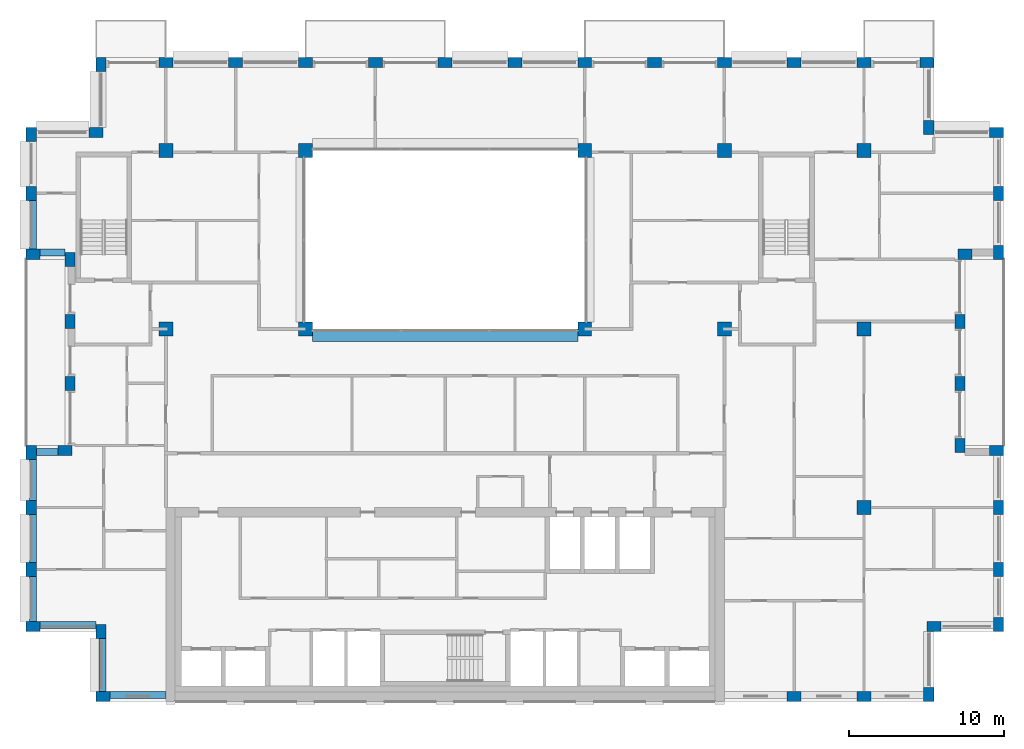
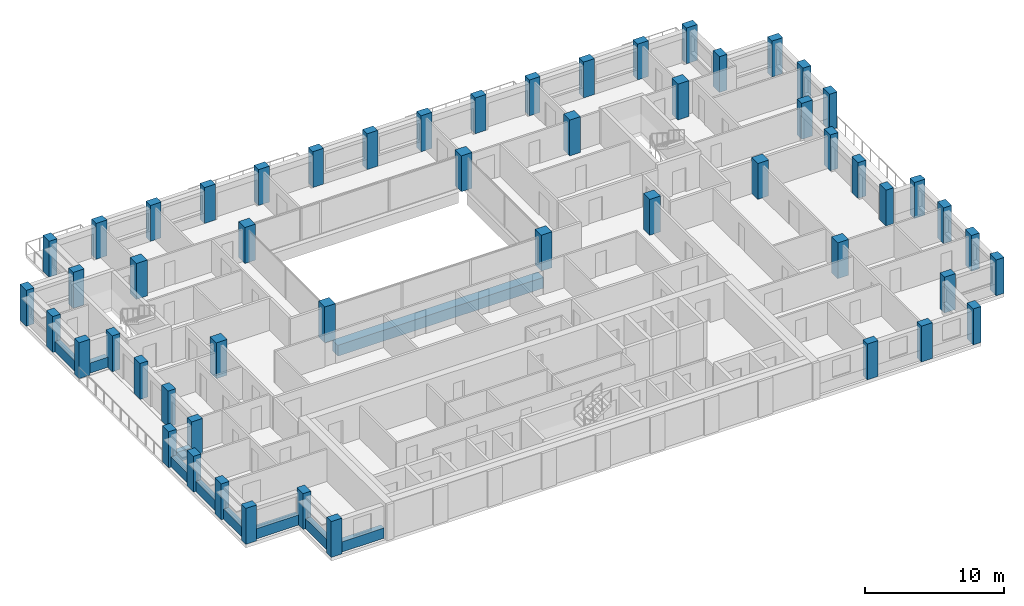
# One storey, part 1 of 15: 54 columns, 10 beams.
"""IFC4 building model written with IfcOpenShell, lengths in metres."""

from ifc_helpers import new_model, si_unit, direction, frame, origin, origin_2d, place, context, subcontext, project, spatial, rectangle, extrude, material, material_profile, profile_set, type_object, element, save


model = new_model("IFC4")

# Units and contexts
model_context = context("Model", 3, precision=1e-05, world=origin(), true_north=direction((0.0, 1.0)))
body_context = subcontext(model_context, "Body", "Model", "MODEL_VIEW")
ifc_project = project(units=[si_unit("LENGTHUNIT", "METRE"), si_unit("AREAUNIT", "SQUARE_METRE"), si_unit("VOLUMEUNIT", "CUBIC_METRE"), si_unit("PLANEANGLEUNIT", "RADIAN"), si_unit("MASSUNIT", "GRAM", prefix="KILO")], contexts=[model_context])

# Site, building, storey
site_placement = place(None, origin())
site = spatial("IfcSite", under=ifc_project, at=site_placement, CompositionType="ELEMENT")
building_placement = place(site_placement, origin())
building = spatial("IfcBuilding", under=site, at=building_placement, Name="Brigalow Station Residences", CompositionType="ELEMENT")
storey_placement = place(building_placement, frame((0.0, 0.0, 223.199951171875)))
storey = spatial("IfcBuildingStorey", under=building, at=storey_placement, Name="L64", CompositionType="ELEMENT", Elevation=223.199951171875)

# Columns
ifc_material_1 = material(Name="Concrete C50", Category="concrete")
ifc_material_profile_1 = material_profile(ifc_material_1, rectangle(XDim=0.89990234375, YDim=0.89990234375, at=origin_2d()), Name="RC900x900")
ifc_profile_set_1 = profile_set([ifc_material_profile_1], Name="Concrete C50")
column_type_1 = type_object("IfcColumnType", Name="COLUMN 900x900 C50", PredefinedType="COLUMN", material=ifc_profile_set_1)
for number, where, z_axis, x_axis, name in (
    (1, (18.0, 24.0, 0.0), (0.0, 0.0, 1.0), (1.0, 0.0, 0.0), "COLUMN C2 L64"),
    (2, (27.0, 24.0, 0.0), (0.0, 0.0, 1.0), (1.0, 0.0, 0.0), "COLUMN C3 L64"),
    (3, (45.0, 24.0, 0.0), (0.0, 0.0, 1.0), (1.0, 0.0, 0.0), "COLUMN C5 L64"),
    (4, (54.0, 24.0, 0.0), (0.0, 0.0, 1.0), (1.0, 0.0, 0.0), "COLUMN C6 L64"),
    (5, (63.0, 24.0, 0.0), (0.0, 0.0, 1.0), (1.0, 0.0, 0.0), "COLUMN C7 L64"),
    (6, (18.0, 35.5, 0.0), (0.0, 0.0, 1.0), (1.0, 0.0, 0.0), "COLUMN D2 L64"),
    (7, (27.0, 35.5, 0.0), (0.0, 0.0, 1.0), (1.0, 0.0, 0.0), "COLUMN D3 L64"),
    (8, (45.0, 35.5, 0.0), (0.0, 0.0, 1.0), (1.0, 0.0, 0.0), "COLUMN D5 L64"),
    (9, (54.0, 35.5, 0.0), (0.0, 0.0, 1.0), (1.0, 0.0, 0.0), "COLUMN D6 L64"),
    (10, (63.0, 35.5, 0.0), (0.0, 0.0, 1.0), (1.0, 0.0, 0.0), "COLUMN D7 L64"),
    (11, (63.0, 12.5, 0.0), (0.0, 0.0, 1.0), (1.0, 0.0, 0.0), "COLUMN B7 L64"),
):
    element("IfcColumn", number, at=place(storey_placement, frame(where, z_axis=z_axis, x_axis=x_axis)), inside=storey, type_object=column_type_1, Name=name, PredefinedType="COLUMN", context=body_context, shape_type="SweptSolid", body=[
        extrude(rectangle(XDim=0.89990234375, YDim=0.89990234375, at=origin_2d()), origin(), (0.0, 0.0, 1.0), 3.150146484375),
    ])
ifc_material_2 = material(Name="Concrete C50", Category="concrete")
ifc_material_profile_2 = material_profile(ifc_material_2, rectangle(XDim=0.89990234375, YDim=0.64990234375, at=origin_2d()), Name="RC900x650")
ifc_profile_set_2 = profile_set([ifc_material_profile_2], Name="Concrete C50")
column_type_2 = type_object("IfcColumnType", Name="PIER 900x650 C50", PredefinedType="USERDEFINED", material=ifc_profile_set_2)
for number, where, z_axis, x_axis, name in (
    (12, (13.949951171875, 0.324951171875, 0.0), (0.0, 0.0, 1.0), (1.0, 0.0, 0.0), "PIER S-1 L64"),
    (13, (58.5, 0.324951171875, 0.0), (0.0, 0.0, 1.0), (1.0, 0.0, 0.0), "PIER S-11 L64"),
    (14, (63.0, 0.324951171875, 0.0), (0.0, 0.0, 1.0), (1.0, 0.0, 0.0), "PIER S-12 L64"),
    (15, (67.175048828125, 0.449951171875, 0.0), (0.0, 0.0, 1.0), (0.0, 1.0, 0.0), "PIER SE1-1 L64"),
    (16, (67.5, 4.824951171875, 0.0), (0.0, 0.0, 1.0), (1.0, 0.0, 0.0), "PIER SE2-1 L64"),
    (17, (71.675048828125, 4.949951171875, 0.0), (0.0, 0.0, 1.0), (0.0, 1.0, 0.0), "PIER E1-1 L64"),
    (18, (71.675048828125, 8.5, 0.0), (0.0, 0.0, 1.0), (0.0, 1.0, 0.0), "PIER E1-2 L64"),
    (19, (71.675048828125, 12.5, 0.0), (0.0, 0.0, 1.0), (0.0, 1.0, 0.0), "PIER E1-3 L64"),
    (20, (71.550048828125, 16.175048828125, 0.0), (0.0, 0.0, 1.0), (-1.0, 0.0, 0.0), "PIER EL1-1 L64"),
    (21, (69.175048828125, 16.5, 0.0), (0.0, 0.0, 1.0), (0.0, 1.0, 0.0), "PIER EL2-1 L64"),
    (22, (69.175048828125, 20.5, 0.0), (0.0, 0.0, 1.0), (0.0, 1.0, 0.0), "PIER EL2-2 L64"),
    (23, (69.175048828125, 24.5, 0.0), (0.0, 0.0, 1.0), (0.0, 1.0, 0.0), "PIER EL2-3 L64"),
    (24, (69.5, 28.824951171875, 0.0), (0.0, 0.0, 1.0), (1.0, 0.0, 0.0), "PIER EL3-1 L64"),
    (25, (71.675048828125, 28.949951171875, 0.0), (0.0, 0.0, 1.0), (0.0, 1.0, 0.0), "PIER E2-1 L64"),
    (26, (71.675048828125, 32.75, 0.0), (0.0, 0.0, 1.0), (0.0, 1.0, 0.0), "PIER E2-2 L64"),
    (27, (71.550048828125, 36.675048828125, 0.0), (0.0, 0.0, 1.0), (-1.0, 0.0, 0.0), "PIER NE1-1 L64"),
    (28, (67.175048828125, 37.0, 0.0), (0.0, 0.0, 1.0), (0.0, 1.0, 0.0), "PIER NE2-1 L64"),
    (29, (67.050048828125, 41.175048828125, 0.0), (0.0, 0.0, 1.0), (-1.0, 0.0, 0.0), "PIER N-1 L64"),
    (30, (63.0, 41.175048828125, 0.0), (0.0, 0.0, 1.0), (-1.0, 0.0, 0.0), "PIER N-2 L64"),
    (31, (58.5, 41.175048828125, 0.0), (0.0, 0.0, 1.0), (-1.0, 0.0, 0.0), "PIER N-3 L64"),
    (32, (54.0, 41.175048828125, 0.0), (0.0, 0.0, 1.0), (-1.0, 0.0, 0.0), "PIER N-4 L64"),
    (33, (49.5, 41.175048828125, 0.0), (0.0, 0.0, 1.0), (-1.0, 0.0, 0.0), "PIER N-5 L64"),
    (34, (45.0, 41.175048828125, 0.0), (0.0, 0.0, 1.0), (-1.0, 0.0, 0.0), "PIER N-6 L64"),
    (35, (40.5, 41.175048828125, 0.0), (0.0, 0.0, 1.0), (-1.0, 0.0, 0.0), "PIER N-7 L64"),
    (36, (36.0, 41.175048828125, 0.0), (0.0, 0.0, 1.0), (-1.0, 0.0, 0.0), "PIER N-8 L64"),
    (37, (31.5, 41.175048828125, 0.0), (0.0, 0.0, 1.0), (-1.0, 0.0, 0.0), "PIER N-9 L64"),
    (38, (27.0, 41.175048828125, 0.0), (0.0, 0.0, 1.0), (-1.0, 0.0, 0.0), "PIER N-10 L64"),
    (39, (22.5, 41.175048828125, 0.0), (0.0, 0.0, 1.0), (-1.0, 0.0, 0.0), "PIER N-11 L64"),
    (40, (18.0, 41.175048828125, 0.0), (0.0, 0.0, 1.0), (-1.0, 0.0, 0.0), "PIER N-12 L64"),
    (41, (13.824951171875, 41.050048828125, 0.0), (0.0, 0.0, 1.0), (0.0, -1.0, 0.0), "PIER NW1-1 L64"),
    (42, (13.5, 36.675048828125, 0.0), (0.0, 0.0, 1.0), (-1.0, 0.0, 0.0), "PIER NW2-1 L64"),
    (43, (9.324951171875, 36.550048828125, 0.0), (0.0, 0.0, 1.0), (0.0, -1.0, 0.0), "PIER W2-1 L64"),
    (44, (9.324951171875, 32.75, 0.0), (0.0, 0.0, 1.0), (0.0, -1.0, 0.0), "PIER W2-2 L64"),
    (45, (9.449951171875, 28.824951171875, 0.0), (0.0, 0.0, 1.0), (1.0, 0.0, 0.0), "PIER WL1-1 L64"),
    (46, (11.824951171875, 28.5, 0.0), (0.0, 0.0, 1.0), (0.0, -1.0, 0.0), "PIER WL2-1 L64"),
    (47, (11.824951171875, 24.5, 0.0), (0.0, 0.0, 1.0), (0.0, -1.0, 0.0), "PIER WL2-2 L64"),
    (48, (11.824951171875, 20.5, 0.0), (0.0, 0.0, 1.0), (0.0, -1.0, 0.0), "PIER WL2-3 L64"),
    (49, (11.5, 16.175048828125, 0.0), (0.0, 0.0, 1.0), (-1.0, 0.0, 0.0), "PIER WL3-1 L64"),
    (50, (9.324951171875, 16.050048828125, 0.0), (0.0, 0.0, 1.0), (0.0, -1.0, 0.0), "PIER W1-1 L64"),
    (51, (9.324951171875, 12.5, 0.0), (0.0, 0.0, 1.0), (0.0, -1.0, 0.0), "PIER W1-2 L64"),
    (52, (9.324951171875, 8.5, 0.0), (0.0, 0.0, 1.0), (0.0, -1.0, 0.0), "PIER W1-3 L64"),
    (53, (9.449951171875, 4.824951171875, 0.0), (0.0, 0.0, 1.0), (1.0, 0.0, 0.0), "PIER SW1-1 L64"),
    (54, (13.824951171875, 4.5, 0.0), (0.0, 0.0, 1.0), (0.0, -1.0, 0.0), "PIER SW2-1 L64"),
):
    element("IfcColumn", number, at=place(storey_placement, frame(where, z_axis=z_axis, x_axis=x_axis)), inside=storey, type_object=column_type_2, Name=name, ObjectType="PIER", PredefinedType="USERDEFINED", context=body_context, shape_type="SweptSolid", body=[
        extrude(rectangle(XDim=0.89990234375, YDim=0.64990234375, at=origin_2d()), origin(), (0.0, 0.0, 1.0), 3.150146484375),
    ])

# Beams
ifc_material_3 = material(Name="Concrete C65", Category="concrete")
ifc_material_profile_3 = material_profile(ifc_material_3, rectangle(XDim=0.800048828125, YDim=0.949951171875, at=origin_2d()), Name="RC800x950")
ifc_profile_set_3 = profile_set([ifc_material_profile_3], Name="Concrete C65")
beam_type_1 = type_object("IfcBeamType", Name="ATRIUM EDGE GIRDER OVER 13.5 M SPAN 800x950 C65", PredefinedType="BEAM", material=ifc_profile_set_3)
beam_1_placement = place(storey_placement, frame((27.449951171875, 23.60009765625, -0.794921875), z_axis=(1.0, 0.0, 0.0), x_axis=(0.0, 1.0, 0.0)))
element("IfcBeam", 55, at=beam_1_placement, inside=storey, type_object=beam_type_1, Name="ATRIUM EDGE GIRDER C L64", PredefinedType="BEAM", context=body_context, shape_type="SweptSolid", body=[
    extrude(rectangle(XDim=0.800048828125, YDim=0.949951171875, at=origin_2d()), origin(), (0.0, 0.0, 1.0), 17.10009765625),
])
ifc_material_4 = material(Name="Concrete C50", Category="concrete")
ifc_material_profile_4 = material_profile(ifc_material_4, rectangle(XDim=0.449951171875, YDim=0.89990234375, at=origin_2d()), Name="RC450x900")
ifc_profile_set_4 = profile_set([ifc_material_profile_4], Name="Concrete C50")
beam_type_2 = type_object("IfcBeamType", Name="SPANDREL BEAM 450x900 C50", PredefinedType="SPANDREL", material=ifc_profile_set_4)
beam_2_placement = place(storey_placement, frame((14.39990234375, 0.425048828125, 0.449951171875), z_axis=(1.0, 0.0, 0.0), x_axis=(0.0, 1.0, 0.0)))
element("IfcBeam", 56, at=beam_2_placement, inside=storey, type_object=beam_type_2, Name="L64/spandrel/W-L64-1", PredefinedType="SPANDREL", context=body_context, shape_type="SweptSolid", body=[
    extrude(rectangle(XDim=0.449951171875, YDim=0.89990234375, at=origin_2d()), origin(), (0.0, 0.0, 1.0), 3.60009765625),
])
beam_3_placement = place(storey_placement, frame((9.425048828125, 32.300048828125, 0.449951171875), z_axis=(0.0, -1.0, 0.0), x_axis=(1.0, 0.0, 0.0)))
element("IfcBeam", 57, at=beam_3_placement, inside=storey, type_object=beam_type_2, Name="L64/spandrel/W-L64-35", PredefinedType="SPANDREL", context=body_context, shape_type="SweptSolid", body=[
    extrude(rectangle(XDim=0.449951171875, YDim=0.89990234375, at=origin_2d()), origin(), (0.0, 0.0, 1.0), 3.150146484375),
])
beam_4_placement = place(storey_placement, frame((9.89990234375, 28.925048828125, 0.449951171875), z_axis=(1.0, 0.0, 0.0), x_axis=(0.0, 1.0, 0.0)))
element("IfcBeam", 58, at=beam_4_placement, inside=storey, type_object=beam_type_2, Name="L64/spandrel/W-L64-36", PredefinedType="SPANDREL", context=body_context, shape_type="SweptSolid", body=[
    extrude(rectangle(XDim=0.449951171875, YDim=0.89990234375, at=origin_2d()), origin(), (0.0, 0.0, 1.0), 1.60009765625),
])
beam_5_placement = place(storey_placement, frame((11.050048828125, 16.074951171875, 0.449951171875), z_axis=(-1.0, 0.0, 0.0), x_axis=(0.0, -1.0, 0.0)))
element("IfcBeam", 59, at=beam_5_placement, inside=storey, type_object=beam_type_2, Name="L64/spandrel/W-L64-40", PredefinedType="SPANDREL", context=body_context, shape_type="SweptSolid", body=[
    extrude(rectangle(XDim=0.449951171875, YDim=0.89990234375, at=origin_2d()), origin(), (0.0, 0.0, 1.0), 1.400146484375),
])
beam_6_placement = place(storey_placement, frame((9.425048828125, 15.60009765625, 0.449951171875), z_axis=(0.0, -1.0, 0.0), x_axis=(1.0, 0.0, 0.0)))
element("IfcBeam", 60, at=beam_6_placement, inside=storey, type_object=beam_type_2, Name="L64/spandrel/W-L64-41", PredefinedType="SPANDREL", context=body_context, shape_type="SweptSolid", body=[
    extrude(rectangle(XDim=0.449951171875, YDim=0.89990234375, at=origin_2d()), origin(), (0.0, 0.0, 1.0), 2.650146484375),
])
beam_7_placement = place(storey_placement, frame((9.425048828125, 12.050048828125, 0.449951171875), z_axis=(0.0, -1.0, 0.0), x_axis=(1.0, 0.0, 0.0)))
element("IfcBeam", 61, at=beam_7_placement, inside=storey, type_object=beam_type_2, Name="L64/spandrel/W-L64-42", PredefinedType="SPANDREL", context=body_context, shape_type="SweptSolid", body=[
    extrude(rectangle(XDim=0.449951171875, YDim=0.89990234375, at=origin_2d()), origin(), (0.0, 0.0, 1.0), 3.10009765625),
])
beam_8_placement = place(storey_placement, frame((9.425048828125, 8.050048828125, 0.449951171875), z_axis=(0.0, -1.0, 0.0), x_axis=(1.0, 0.0, 0.0)))
element("IfcBeam", 62, at=beam_8_placement, inside=storey, type_object=beam_type_2, Name="L64/spandrel/W-L64-43", PredefinedType="SPANDREL", context=body_context, shape_type="SweptSolid", body=[
    extrude(rectangle(XDim=0.449951171875, YDim=0.89990234375, at=origin_2d()), origin(), (0.0, 0.0, 1.0), 2.900146484375),
])
beam_9_placement = place(storey_placement, frame((9.89990234375, 4.925048828125, 0.449951171875), z_axis=(1.0, 0.0, 0.0), x_axis=(0.0, 1.0, 0.0)))
element("IfcBeam", 63, at=beam_9_placement, inside=storey, type_object=beam_type_2, Name="L64/spandrel/W-L64-44", PredefinedType="SPANDREL", context=body_context, shape_type="SweptSolid", body=[
    extrude(rectangle(XDim=0.449951171875, YDim=0.89990234375, at=origin_2d()), origin(), (0.0, 0.0, 1.0), 3.60009765625),
])
beam_10_placement = place(storey_placement, frame((13.925048828125, 4.050048828125, 0.449951171875), z_axis=(0.0, -1.0, 0.0), x_axis=(1.0, 0.0, 0.0)))
element("IfcBeam", 64, at=beam_10_placement, inside=storey, type_object=beam_type_2, Name="L64/spandrel/W-L64-45", PredefinedType="SPANDREL", context=body_context, shape_type="SweptSolid", body=[
    extrude(rectangle(XDim=0.449951171875, YDim=0.89990234375, at=origin_2d()), origin(), (0.0, 0.0, 1.0), 3.400146484375),
])

save(model, "model.ifc")
